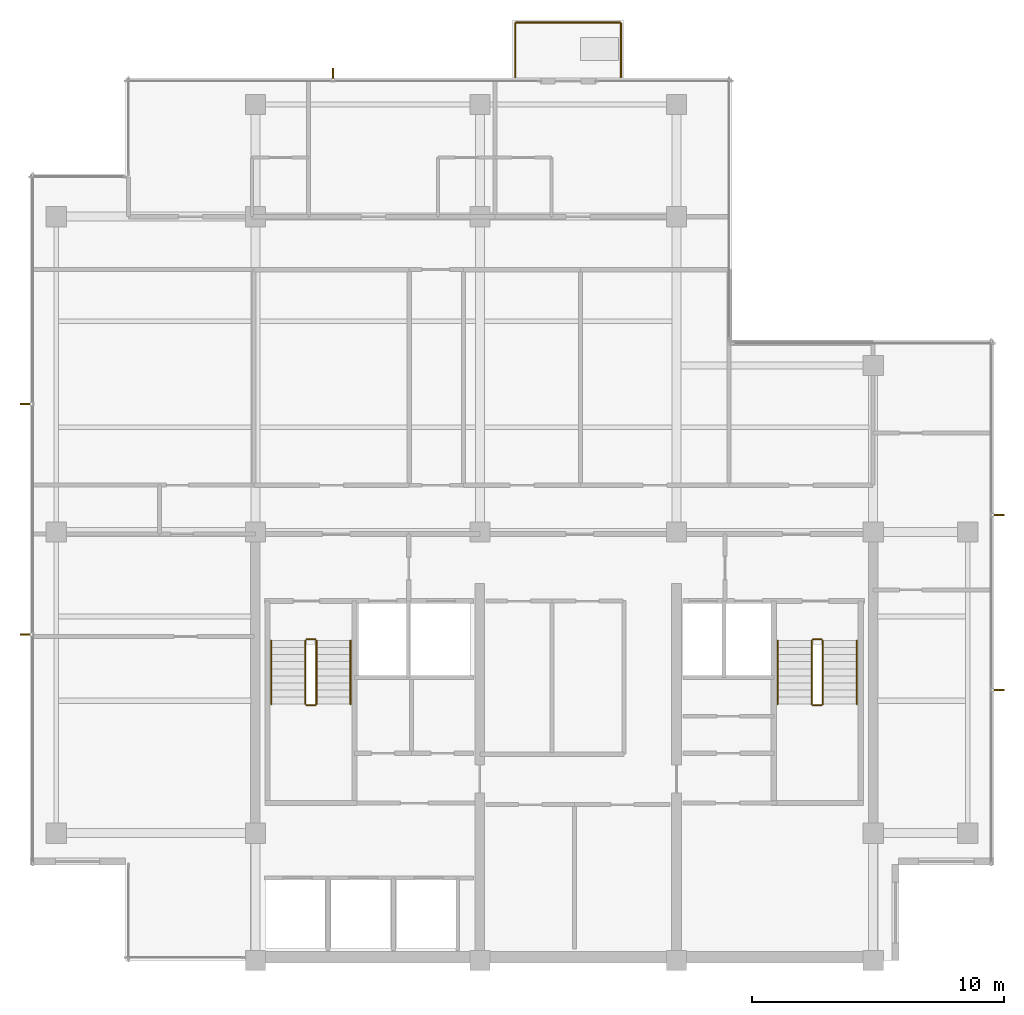
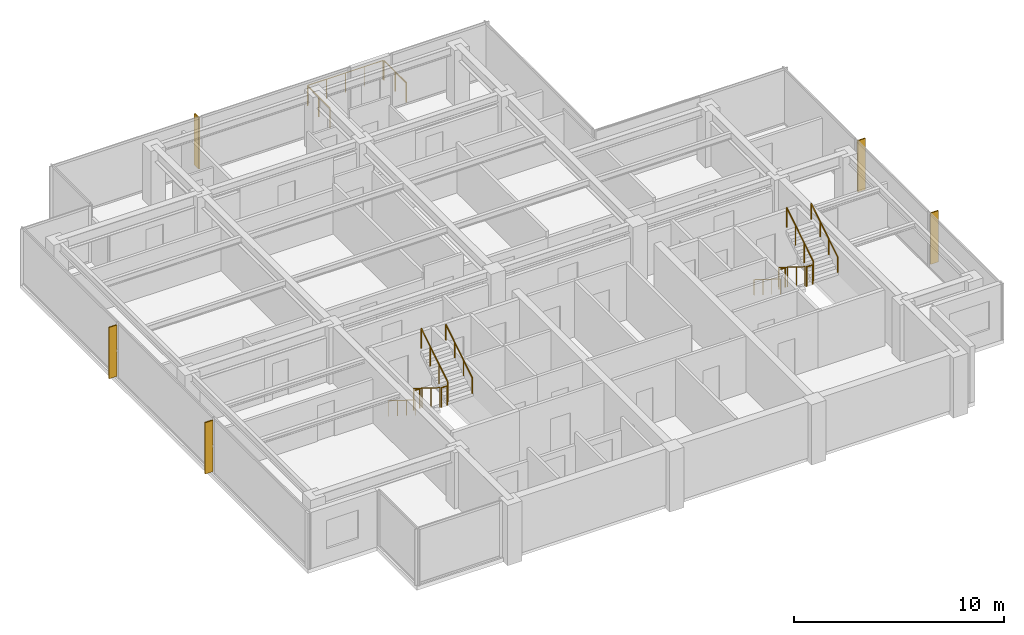
# One storey, part 11 of 11: 15 railings, 5 shading devices.
"""IFC4 building model written with IfcOpenShell, lengths in metres."""

from ifc_helpers import new_model, si_unit, direction, frame, origin, origin_2d, place, context, subcontext, project, spatial, polyline, circle, outline, extrude, material, layer, layer_set, type_object, element, save


model = new_model("IFC4")

# Units and contexts
model_context = context("Model", 3, precision=1e-05, world=origin(), true_north=direction((0.0, 1.0)))
body_context = subcontext(model_context, "Body", "Model", "MODEL_VIEW")
ifc_project = project(units=[si_unit("LENGTHUNIT", "METRE"), si_unit("AREAUNIT", "SQUARE_METRE"), si_unit("VOLUMEUNIT", "CUBIC_METRE"), si_unit("PLANEANGLEUNIT", "RADIAN"), si_unit("MASSUNIT", "GRAM", prefix="KILO")], contexts=[model_context])

# Site, building, storey
site_placement = place(None, origin())
site = spatial("IfcSite", under=ifc_project, at=site_placement, CompositionType="ELEMENT")
building_placement = place(site_placement, origin())
building = spatial("IfcBuilding", under=site, at=building_placement, Name="Qalmaran Belvedere Hotel", CompositionType="ELEMENT")
storey_placement = place(building_placement, frame((0.0, 0.0, 270.39990234375)))
storey = spatial("IfcBuildingStorey", under=building, at=storey_placement, Name="L70", CompositionType="ELEMENT", Elevation=270.39990234375)

# Shading devices
ifc_material_1 = material(Name="Anodised Bronze Aluminium", Category="aluminium")
ifc_layer = layer(ifc_material_1, 0.06494140625, Name="Anodised Bronze Aluminium")
ifc_layer_set = layer_set([ifc_layer], Name="Anodised Bronze Aluminium")
shading_device_type = type_object("IfcShadingDeviceType", Name="FIN-BRNZ-420", PredefinedType="USERDEFINED", material=ifc_layer_set)
shading_device_1_placement = place(storey_placement, frame((0.0, 0.0, 0.16015625)))
element("IfcShadingDevice", 1, at=shading_device_1_placement, inside=storey, type_object=shading_device_type, Name="L70 Bronze Fin 1", ObjectType="FIN", PredefinedType="USERDEFINED", context=body_context, shape_type="SweptSolid", body=[
    extrude(outline(polyline([(49.5673828125, 14.20068359375), (49.987548828125, 14.20068359375), (49.987548828125, 14.265869140625), (49.5673828125, 14.265869140625), (49.5673828125, 14.20068359375)])), origin(), (0.0, 0.0, 1.0), 2.97998046875),
])
shading_device_2_placement = place(storey_placement, frame((0.0, 0.0, 0.16015625)))
element("IfcShadingDevice", 2, at=shading_device_2_placement, inside=storey, type_object=shading_device_type, Name="L70 Bronze Fin 2", ObjectType="FIN", PredefinedType="USERDEFINED", context=body_context, shape_type="SweptSolid", body=[
    extrude(outline(polyline([(49.5673828125, 21.13427734375), (49.987548828125, 21.13427734375), (49.987548828125, 21.19921875), (49.5673828125, 21.19921875), (49.5673828125, 21.13427734375)])), origin(), (0.0, 0.0, 1.0), 2.97998046875),
])
shading_device_3_placement = place(storey_placement, frame((0.0, 0.0, 0.16015625)))
element("IfcShadingDevice", 3, at=shading_device_3_placement, inside=storey, type_object=shading_device_type, Name="L70 Bronze Fin 1", ObjectType="FIN", PredefinedType="USERDEFINED", context=body_context, shape_type="SweptSolid", body=[
    extrude(outline(polyline([(23.407470703125, 38.467529296875), (23.407470703125, 38.887451171875), (23.342529296875, 38.887451171875), (23.342529296875, 38.467529296875), (23.407470703125, 38.467529296875)])), origin(), (0.0, 0.0, 1.0), 2.97998046875),
])
shading_device_4_placement = place(storey_placement, frame((0.0, 0.0, 0.16015625)))
element("IfcShadingDevice", 4, at=shading_device_4_placement, inside=storey, type_object=shading_device_type, Name="L70 Bronze Fin 1", ObjectType="FIN", PredefinedType="USERDEFINED", context=body_context, shape_type="SweptSolid", body=[
    extrude(outline(polyline([(11.382568359375, 25.59912109375), (10.96240234375, 25.59912109375), (10.96240234375, 25.5341796875), (11.382568359375, 25.5341796875), (11.382568359375, 25.59912109375)])), origin(), (0.0, 0.0, 1.0), 2.97998046875),
])
shading_device_5_placement = place(storey_placement, frame((0.0, 0.0, 0.16015625)))
element("IfcShadingDevice", 5, at=shading_device_5_placement, inside=storey, type_object=shading_device_type, Name="L70 Bronze Fin 2", ObjectType="FIN", PredefinedType="USERDEFINED", context=body_context, shape_type="SweptSolid", body=[
    extrude(outline(polyline([(11.382568359375, 16.4658203125), (10.96240234375, 16.4658203125), (10.96240234375, 16.40087890625), (11.382568359375, 16.40087890625), (11.382568359375, 16.4658203125)])), origin(), (0.0, 0.0, 1.0), 2.97998046875),
])

# Railings
railing_type_1 = type_object("IfcRailingType", Name="GRD-BAL-1150", PredefinedType="BALUSTRADE", material=ifc_material_1)
railing_1_placement = place(storey_placement, frame((30.60009765625, 38.534912109375, 0.0)))
element("IfcRailing", 6, at=railing_1_placement, inside=storey, type_object=railing_type_1, Name="L70 Guardrail BAL-L70-N-1", PredefinedType="BALUSTRADE", context=body_context, shape_type="SweptSolid", body=[
    extrude(circle(Radius=0.02392578125, at=origin_2d()), frame((0.0, 0.0, 1.1259765625), z_axis=(0.0, 1.0, 0.0), x_axis=(-1.0, 0.0, 0.0)), (0.0, 0.0, 1.0), 2.130126953125),
    extrude(circle(Radius=0.02099609375, at=origin_2d()), origin(), (0.0, 0.0, 1.0), 1.101806640625),
    extrude(circle(Radius=0.02099609375, at=origin_2d()), frame((0.0, 1.06494140625, 0.0)), (0.0, 0.0, 1.0), 1.101806640625),
    extrude(circle(Radius=0.02099609375, at=origin_2d()), frame((0.0, 2.130126953125, 0.0)), (0.0, 0.0, 1.0), 1.101806640625),
])
railing_2_placement = place(storey_placement, frame((30.635009765625, 40.699951171875, 0.0)))
element("IfcRailing", 7, at=railing_2_placement, inside=storey, type_object=railing_type_1, Name="L70 Guardrail BAL-L70-N-2", PredefinedType="BALUSTRADE", context=body_context, shape_type="SweptSolid", body=[
    extrude(circle(Radius=0.02392578125, at=origin_2d()), frame((0.0, 0.0, 1.1259765625), z_axis=(1.0, 0.0, 0.0), x_axis=(0.0, 1.0, 0.0)), (0.0, 0.0, 1.0), 4.1298828125),
    extrude(circle(Radius=0.02099609375, at=origin_2d()), origin(), (0.0, 0.0, 1.0), 1.101806640625),
    extrude(circle(Radius=0.02099609375, at=origin_2d()), frame((1.032470703125, 0.0, 0.0)), (0.0, 0.0, 1.0), 1.101806640625),
    extrude(circle(Radius=0.02099609375, at=origin_2d()), frame((2.06494140625, 0.0, 0.0)), (0.0, 0.0, 1.0), 1.101806640625),
    extrude(circle(Radius=0.02099609375, at=origin_2d()), frame((3.097412109375, 0.0, 0.0)), (0.0, 0.0, 1.0), 1.101806640625),
    extrude(circle(Radius=0.02099609375, at=origin_2d()), frame((4.1298828125, 0.0, 0.0)), (0.0, 0.0, 1.0), 1.101806640625),
])
railing_3_placement = place(storey_placement, frame((34.800048828125, 40.6650390625, 0.0)))
element("IfcRailing", 8, at=railing_3_placement, inside=storey, type_object=railing_type_1, Name="L70 Guardrail BAL-L70-N-3", PredefinedType="BALUSTRADE", context=body_context, shape_type="SweptSolid", body=[
    extrude(circle(Radius=0.02392578125, at=origin_2d()), frame((0.0, 0.0, 1.1259765625), z_axis=(0.0, -1.0, 0.0), x_axis=(1.0, 0.0, 0.0)), (0.0, 0.0, 1.0), 2.130126953125),
    extrude(circle(Radius=0.02099609375, at=origin_2d()), origin(), (0.0, 0.0, 1.0), 1.101806640625),
    extrude(circle(Radius=0.02099609375, at=origin_2d()), frame((0.0, -1.06494140625, 0.0)), (0.0, 0.0, 1.0), 1.101806640625),
    extrude(circle(Radius=0.02099609375, at=origin_2d()), frame((0.0, -2.130126953125, 0.0)), (0.0, 0.0, 1.0), 1.101806640625),
])
ifc_material_2 = material(Name="Stainless Steel 1.4401", Category="steel")
railing_type_2 = type_object("IfcRailingType", Name="RLG-STAIR-GUARD-1150", PredefinedType="GUARDRAIL", material=ifc_material_2)
railing_4_placement = place(storey_placement, frame((22.280029296875, 16.18994140625, 0.175048828125)))
element("IfcRailing", 9, at=railing_4_placement, inside=storey, type_object=railing_type_2, Name="L70 ST-1 stair guard 1", PredefinedType="GUARDRAIL", context=body_context, shape_type="SweptSolid", body=[
    extrude(circle(Radius=0.02392578125, at=origin_2d()), frame((0.0, 0.0, 1.1259765625), z_axis=(0.0, -0.848007534815, 0.529984170421), x_axis=(1.0, 0.0, 0.0)), (0.0, 0.0, 1.0), 2.9716796875),
    extrude(circle(Radius=0.02099609375, at=origin_2d()), origin(), (0.0, 0.0, 1.0), 1.101806640625),
    extrude(circle(Radius=0.02099609375, at=origin_2d()), frame((0.0, -0.840087890625, 0.52490234375)), (0.0, 0.0, 1.0), 1.101806640625),
    extrude(circle(Radius=0.02099609375, at=origin_2d()), frame((0.0, -1.679931640625, 1.050048828125)), (0.0, 0.0, 1.0), 1.101806640625),
    extrude(circle(Radius=0.02099609375, at=origin_2d()), frame((0.0, -2.52001953125, 1.574951171875)), (0.0, 0.0, 1.0), 1.101806640625),
])
railing_5_placement = place(storey_placement, frame((22.330078125, 13.6201171875, 1.75)))
element("IfcRailing", 10, at=railing_5_placement, inside=storey, type_object=railing_type_2, Name="L70 ST-1 stair guard 2", PredefinedType="GUARDRAIL", context=body_context, shape_type="SweptSolid", body=[
    extrude(circle(Radius=0.02392578125, at=origin_2d()), frame((0.0, 0.0, 1.1259765625), z_axis=(1.0, 0.0, 0.0), x_axis=(0.0, 1.0, 0.0)), (0.0, 0.0, 1.0), 0.33984375),
    extrude(circle(Radius=0.02099609375, at=origin_2d()), origin(), (0.0, 0.0, 1.0), 1.101806640625),
    extrude(circle(Radius=0.02099609375, at=origin_2d()), frame((0.33984375, 0.0, 0.0)), (0.0, 0.0, 1.0), 1.101806640625),
])
railing_6_placement = place(storey_placement, frame((22.719970703125, 13.669921875, 1.925048828125)))
element("IfcRailing", 11, at=railing_6_placement, inside=storey, type_object=railing_type_2, Name="L70 ST-1 stair guard 3", PredefinedType="GUARDRAIL", context=body_context, shape_type="SweptSolid", body=[
    extrude(circle(Radius=0.02392578125, at=origin_2d()), frame((0.0, 0.0, 1.1259765625), z_axis=(0.0, 0.848007534815, 0.529984170421), x_axis=(-1.0, 0.0, 0.0)), (0.0, 0.0, 1.0), 2.9716796875),
    extrude(circle(Radius=0.02099609375, at=origin_2d()), origin(), (0.0, 0.0, 1.0), 1.101806640625),
    extrude(circle(Radius=0.02099609375, at=origin_2d()), frame((0.0, 0.840087890625, 0.52490234375)), (0.0, 0.0, 1.0), 1.101806640625),
    extrude(circle(Radius=0.02099609375, at=origin_2d()), frame((0.0, 1.679931640625, 1.050048828125)), (0.0, 0.0, 1.0), 1.101806640625),
    extrude(circle(Radius=0.02099609375, at=origin_2d()), frame((0.0, 2.52001953125, 1.574951171875)), (0.0, 0.0, 1.0), 1.101806640625),
])
railing_7_placement = place(storey_placement, frame((22.330078125, 16.239990234375, 0.0)))
element("IfcRailing", 12, at=railing_7_placement, inside=storey, type_object=railing_type_2, Name="L70 ST-1 stair guard 4", PredefinedType="GUARDRAIL", context=body_context, shape_type="SweptSolid", body=[
    extrude(circle(Radius=0.02392578125, at=origin_2d()), frame((0.0, 0.0, 1.1259765625), z_axis=(1.0, 0.0, 0.0), x_axis=(0.0, 1.0, 0.0)), (0.0, 0.0, 1.0), 0.33984375),
    extrude(circle(Radius=0.02099609375, at=origin_2d()), origin(), (0.0, 0.0, 1.0), 1.101806640625),
    extrude(circle(Radius=0.02099609375, at=origin_2d()), frame((0.33984375, 0.0, 0.0)), (0.0, 0.0, 1.0), 1.101806640625),
])
railing_8_placement = place(storey_placement, frame((42.360107421875, 16.18994140625, 0.175048828125)))
element("IfcRailing", 13, at=railing_8_placement, inside=storey, type_object=railing_type_2, Name="L70 ST-2 stair guard 1", PredefinedType="GUARDRAIL", context=body_context, shape_type="SweptSolid", body=[
    extrude(circle(Radius=0.02392578125, at=origin_2d()), frame((0.0, 0.0, 1.1259765625), z_axis=(0.0, -0.848007534815, 0.529984170421), x_axis=(1.0, 0.0, 0.0)), (0.0, 0.0, 1.0), 2.9716796875),
    extrude(circle(Radius=0.02099609375, at=origin_2d()), origin(), (0.0, 0.0, 1.0), 1.101806640625),
    extrude(circle(Radius=0.02099609375, at=origin_2d()), frame((0.0, -0.840087890625, 0.52490234375)), (0.0, 0.0, 1.0), 1.101806640625),
    extrude(circle(Radius=0.02099609375, at=origin_2d()), frame((0.0, -1.679931640625, 1.050048828125)), (0.0, 0.0, 1.0), 1.101806640625),
    extrude(circle(Radius=0.02099609375, at=origin_2d()), frame((0.0, -2.52001953125, 1.574951171875)), (0.0, 0.0, 1.0), 1.101806640625),
])
railing_9_placement = place(storey_placement, frame((42.409912109375, 13.6201171875, 1.75)))
element("IfcRailing", 14, at=railing_9_placement, inside=storey, type_object=railing_type_2, Name="L70 ST-2 stair guard 2", PredefinedType="GUARDRAIL", context=body_context, shape_type="SweptSolid", body=[
    extrude(circle(Radius=0.02392578125, at=origin_2d()), frame((0.0, 0.0, 1.1259765625), z_axis=(1.0, 0.0, 0.0), x_axis=(0.0, 1.0, 0.0)), (0.0, 0.0, 1.0), 0.340087890625),
    extrude(circle(Radius=0.02099609375, at=origin_2d()), origin(), (0.0, 0.0, 1.0), 1.101806640625),
    extrude(circle(Radius=0.02099609375, at=origin_2d()), frame((0.340087890625, 0.0, 0.0)), (0.0, 0.0, 1.0), 1.101806640625),
])
railing_10_placement = place(storey_placement, frame((42.800048828125, 13.669921875, 1.925048828125)))
element("IfcRailing", 15, at=railing_10_placement, inside=storey, type_object=railing_type_2, Name="L70 ST-2 stair guard 3", PredefinedType="GUARDRAIL", context=body_context, shape_type="SweptSolid", body=[
    extrude(circle(Radius=0.02392578125, at=origin_2d()), frame((0.0, 0.0, 1.1259765625), z_axis=(0.0, 0.848007534815, 0.529984170421), x_axis=(-1.0, 0.0, 0.0)), (0.0, 0.0, 1.0), 2.9716796875),
    extrude(circle(Radius=0.02099609375, at=origin_2d()), origin(), (0.0, 0.0, 1.0), 1.101806640625),
    extrude(circle(Radius=0.02099609375, at=origin_2d()), frame((0.0, 0.840087890625, 0.52490234375)), (0.0, 0.0, 1.0), 1.101806640625),
    extrude(circle(Radius=0.02099609375, at=origin_2d()), frame((0.0, 1.679931640625, 1.050048828125)), (0.0, 0.0, 1.0), 1.101806640625),
    extrude(circle(Radius=0.02099609375, at=origin_2d()), frame((0.0, 2.52001953125, 1.574951171875)), (0.0, 0.0, 1.0), 1.101806640625),
])
railing_11_placement = place(storey_placement, frame((42.409912109375, 16.239990234375, 0.0)))
element("IfcRailing", 16, at=railing_11_placement, inside=storey, type_object=railing_type_2, Name="L70 ST-2 stair guard 4", PredefinedType="GUARDRAIL", context=body_context, shape_type="SweptSolid", body=[
    extrude(circle(Radius=0.02392578125, at=origin_2d()), frame((0.0, 0.0, 1.1259765625), z_axis=(1.0, 0.0, 0.0), x_axis=(0.0, 1.0, 0.0)), (0.0, 0.0, 1.0), 0.340087890625),
    extrude(circle(Radius=0.02099609375, at=origin_2d()), origin(), (0.0, 0.0, 1.0), 1.101806640625),
    extrude(circle(Radius=0.02099609375, at=origin_2d()), frame((0.340087890625, 0.0, 0.0)), (0.0, 0.0, 1.0), 1.101806640625),
])
railing_type_3 = type_object("IfcRailingType", Name="RLG-STAIR-HAND-910", PredefinedType="HANDRAIL", material=ifc_material_2)
railing_12_placement = place(storey_placement, frame((20.929931640625, 16.18994140625, 0.175048828125)))
element("IfcRailing", 17, at=railing_12_placement, inside=storey, type_object=railing_type_3, Name="L70 ST-1 stair handrail 1", PredefinedType="HANDRAIL", context=body_context, shape_type="SweptSolid", body=[
    extrude(circle(Radius=0.02392578125, at=origin_2d()), frame((0.0, 0.0, 0.8857421875), z_axis=(0.0, -0.848007534815, 0.529984170421), x_axis=(1.0, 0.0, 0.0)), (0.0, 0.0, 1.0), 2.9716796875),
    extrude(circle(Radius=0.02099609375, at=origin_2d()), origin(), (0.0, 0.0, 1.0), 0.86181640625),
    extrude(circle(Radius=0.02099609375, at=origin_2d()), frame((0.0, -0.840087890625, 0.52490234375)), (0.0, 0.0, 1.0), 0.86181640625),
    extrude(circle(Radius=0.02099609375, at=origin_2d()), frame((0.0, -1.679931640625, 1.050048828125)), (0.0, 0.0, 1.0), 0.86181640625),
    extrude(circle(Radius=0.02099609375, at=origin_2d()), frame((0.0, -2.52001953125, 1.574951171875)), (0.0, 0.0, 1.0), 0.86181640625),
])
railing_13_placement = place(storey_placement, frame((24.070068359375, 13.669921875, 1.925048828125)))
element("IfcRailing", 18, at=railing_13_placement, inside=storey, type_object=railing_type_3, Name="L70 ST-1 stair handrail 2", PredefinedType="HANDRAIL", context=body_context, shape_type="SweptSolid", body=[
    extrude(circle(Radius=0.02392578125, at=origin_2d()), frame((0.0, 0.0, 0.8857421875), z_axis=(0.0, 0.848007534815, 0.529984170421), x_axis=(-1.0, 0.0, 0.0)), (0.0, 0.0, 1.0), 2.9716796875),
    extrude(circle(Radius=0.02099609375, at=origin_2d()), origin(), (0.0, 0.0, 1.0), 0.86181640625),
    extrude(circle(Radius=0.02099609375, at=origin_2d()), frame((0.0, 0.840087890625, 0.52490234375)), (0.0, 0.0, 1.0), 0.86181640625),
    extrude(circle(Radius=0.02099609375, at=origin_2d()), frame((0.0, 1.679931640625, 1.050048828125)), (0.0, 0.0, 1.0), 0.86181640625),
    extrude(circle(Radius=0.02099609375, at=origin_2d()), frame((0.0, 2.52001953125, 1.574951171875)), (0.0, 0.0, 1.0), 0.86181640625),
])
railing_14_placement = place(storey_placement, frame((41.010009765625, 16.18994140625, 0.175048828125)))
element("IfcRailing", 19, at=railing_14_placement, inside=storey, type_object=railing_type_3, Name="L70 ST-2 stair handrail 1", PredefinedType="HANDRAIL", context=body_context, shape_type="SweptSolid", body=[
    extrude(circle(Radius=0.02392578125, at=origin_2d()), frame((0.0, 0.0, 0.8857421875), z_axis=(0.0, -0.848007534815, 0.529984170421), x_axis=(1.0, 0.0, 0.0)), (0.0, 0.0, 1.0), 2.9716796875),
    extrude(circle(Radius=0.02099609375, at=origin_2d()), origin(), (0.0, 0.0, 1.0), 0.86181640625),
    extrude(circle(Radius=0.02099609375, at=origin_2d()), frame((0.0, -0.840087890625, 0.52490234375)), (0.0, 0.0, 1.0), 0.86181640625),
    extrude(circle(Radius=0.02099609375, at=origin_2d()), frame((0.0, -1.679931640625, 1.050048828125)), (0.0, 0.0, 1.0), 0.86181640625),
    extrude(circle(Radius=0.02099609375, at=origin_2d()), frame((0.0, -2.52001953125, 1.574951171875)), (0.0, 0.0, 1.0), 0.86181640625),
])
railing_15_placement = place(storey_placement, frame((44.14990234375, 13.669921875, 1.925048828125)))
element("IfcRailing", 20, at=railing_15_placement, inside=storey, type_object=railing_type_3, Name="L70 ST-2 stair handrail 2", PredefinedType="HANDRAIL", context=body_context, shape_type="SweptSolid", body=[
    extrude(circle(Radius=0.02392578125, at=origin_2d()), frame((0.0, 0.0, 0.8857421875), z_axis=(0.0, 0.848007534815, 0.529984170421), x_axis=(-1.0, 0.0, 0.0)), (0.0, 0.0, 1.0), 2.9716796875),
    extrude(circle(Radius=0.02099609375, at=origin_2d()), origin(), (0.0, 0.0, 1.0), 0.86181640625),
    extrude(circle(Radius=0.02099609375, at=origin_2d()), frame((0.0, 0.840087890625, 0.52490234375)), (0.0, 0.0, 1.0), 0.86181640625),
    extrude(circle(Radius=0.02099609375, at=origin_2d()), frame((0.0, 1.679931640625, 1.050048828125)), (0.0, 0.0, 1.0), 0.86181640625),
    extrude(circle(Radius=0.02099609375, at=origin_2d()), frame((0.0, 2.52001953125, 1.574951171875)), (0.0, 0.0, 1.0), 0.86181640625),
])

save(model, "model.ifc")
